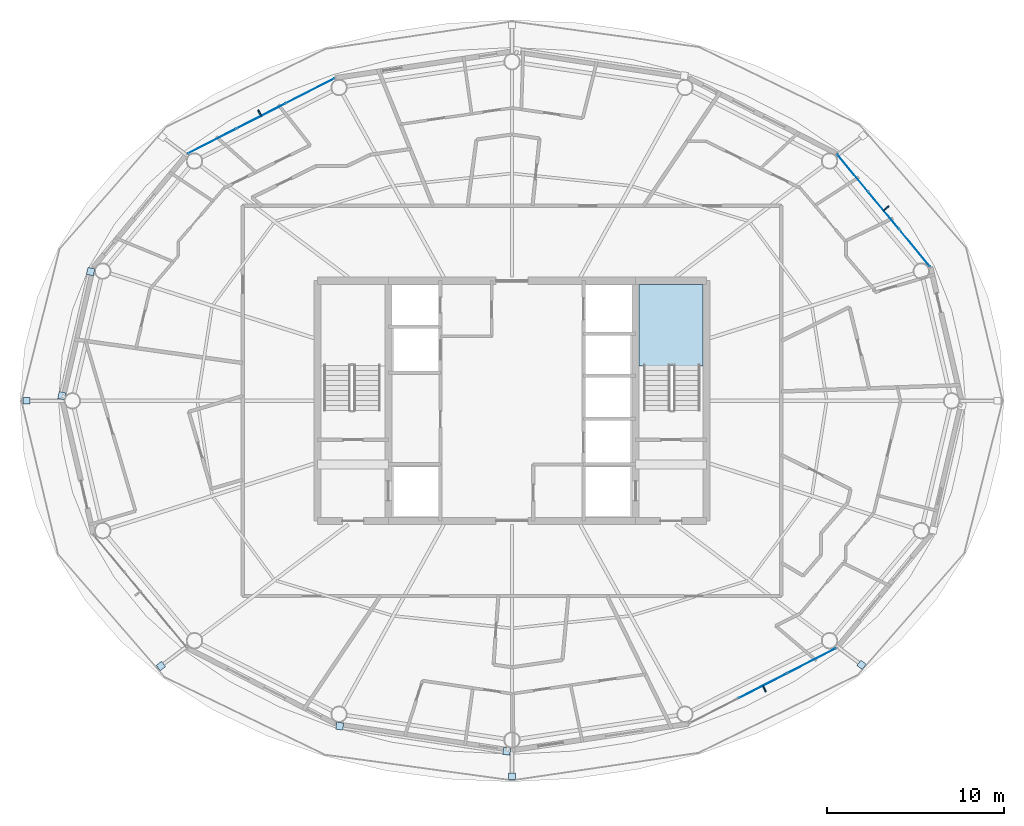
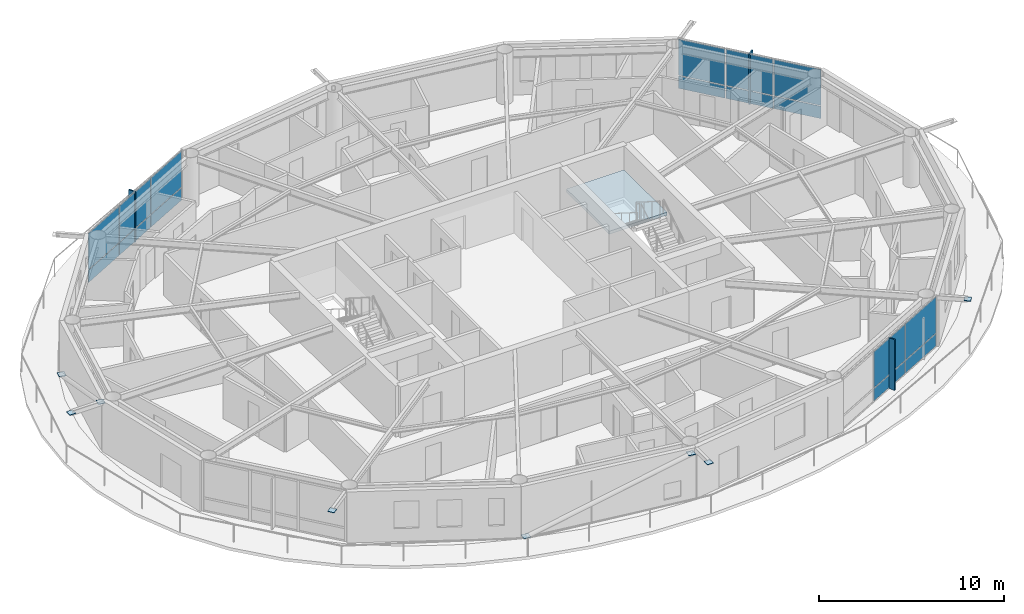
# One storey, part 14 of 23: 27 plates, 1 slab, 4 elements without a shape of their own.
"""IFC4 building model written with IfcOpenShell, lengths in metres."""

from ifc_helpers import new_model, si_unit, direction, frame, origin, origin_2d, place, context, subcontext, project, spatial, polyline, rectangle, outline, extrude, material, layer, layer_set, type_object, element, aggregate, save


model = new_model("IFC4")

# Units and contexts
model_context = context("Model", 3, precision=1e-05, world=origin(), true_north=direction((0.0, 1.0)))
body_context = subcontext(model_context, "Body", "Model", "MODEL_VIEW")
ifc_project = project(units=[si_unit("LENGTHUNIT", "METRE"), si_unit("AREAUNIT", "SQUARE_METRE"), si_unit("VOLUMEUNIT", "CUBIC_METRE"), si_unit("PLANEANGLEUNIT", "RADIAN"), si_unit("MASSUNIT", "GRAM", prefix="KILO")], contexts=[model_context])

# Site, building, storey
site_placement = place(None, origin())
site = spatial("IfcSite", under=ifc_project, at=site_placement, CompositionType="ELEMENT")
building_placement = place(site_placement, origin())
building = spatial("IfcBuilding", under=site, at=building_placement, Name="Sarneth Arch Tower", CompositionType="ELEMENT")
storey_placement = place(building_placement, frame((0.0, 0.0, 228.0)))
storey = spatial("IfcBuildingStorey", under=building, at=storey_placement, Name="L58", CompositionType="ELEMENT", Elevation=228.0)

# Curtain wall, plates
ifc_material_1 = material(Name="Anodised aluminium Type AA25 and solar-control low-e laminated IGU", Category="aluminium")
ifc_layer_1 = layer(ifc_material_1, 0.179931640625)
ifc_layer_set_1 = layer_set([ifc_layer_1], Name="Anodised aluminium Type AA25 and solar-control low-e laminated IGU")
curtain_wall_type = type_object("IfcCurtainWallType", Name="CW-RES-HIGH", PredefinedType="NOTDEFINED", material=ifc_layer_set_1)
curtain_wall_1_placement = place(storey_placement, origin())
curtain_wall_1 = element("IfcCurtainWall", 1, at=curtain_wall_1_placement, inside=storey, type_object=curtain_wall_type, Name="L58 Unitised curtain wall facet 02", PredefinedType="NOTDEFINED")
ifc_material_2 = material(Name="Solar-control low-e laminated IGU", Category="glass")
ifc_layer_2 = layer(ifc_material_2, 0.028076171875)
ifc_layer_set_2 = layer_set([ifc_layer_2], Name="Solar-control low-e laminated IGU")
plate_type_1 = type_object("IfcPlateType", Name="CW-PANEL", PredefinedType="CURTAIN_PANEL", material=ifc_layer_set_2)
plate_1_placement = place(storey_placement, frame((70.799072265625, 50.650634765625, 0.06005859375), z_axis=(0.0, 0.0, 1.0), x_axis=(-0.637610094184, 0.770359245933, 0.0)))
plate_1 = element("IfcPlate", 2, at=plate_1_placement, type_object=plate_type_1, Name="Curtain wall glazed vision pane CW-L58-F02/P00-00", PredefinedType="CURTAIN_PANEL", context=body_context, shape_type="SweptSolid", body=[
    extrude(rectangle(XDim=2.686767578125, YDim=0.028076171875, at=origin_2d()), origin(), (0.0, 0.0, 1.0), 0.81005859375),
])
plate_2_placement = place(storey_placement, frame((70.799072265625, 50.650634765625, 0.929931640625), z_axis=(0.0, 0.0, 1.0), x_axis=(-0.637610094184, 0.770359245933, 0.0)))
plate_2 = element("IfcPlate", 3, at=plate_2_placement, type_object=plate_type_1, Name="Curtain wall glazed vision pane CW-L58-F02/P00-01", PredefinedType="CURTAIN_PANEL", context=body_context, shape_type="SweptSolid", body=[
    extrude(rectangle(XDim=2.686767578125, YDim=0.028076171875, at=origin_2d()), origin(), (0.0, 0.0, 1.0), 2.3701171875),
])
plate_3_placement = place(storey_placement, frame((69.0380859375, 52.778076171875, 0.06005859375), z_axis=(0.0, 0.0, 1.0), x_axis=(-0.637610094184, 0.770359245933, 0.0)))
plate_3 = element("IfcPlate", 4, at=plate_3_placement, type_object=plate_type_1, Name="Curtain wall glazed vision pane CW-L58-F02/P01-00", PredefinedType="CURTAIN_PANEL", context=body_context, shape_type="SweptSolid", body=[
    extrude(rectangle(XDim=2.716552734375, YDim=0.028076171875, at=origin_2d()), origin(), (0.0, 0.0, 1.0), 0.81005859375),
])
plate_4_placement = place(storey_placement, frame((69.0380859375, 52.778076171875, 0.929931640625), z_axis=(0.0, 0.0, 1.0), x_axis=(-0.637610094184, 0.770359245933, 0.0)))
plate_4 = element("IfcPlate", 5, at=plate_4_placement, type_object=plate_type_1, Name="Curtain wall glazed vision pane CW-L58-F02/P01-01", PredefinedType="CURTAIN_PANEL", context=body_context, shape_type="SweptSolid", body=[
    extrude(rectangle(XDim=2.716552734375, YDim=0.028076171875, at=origin_2d()), origin(), (0.0, 0.0, 1.0), 2.3701171875),
])
plate_5_placement = place(storey_placement, frame((67.27734375, 54.905517578125, 0.06005859375), z_axis=(0.0, 0.0, 1.0), x_axis=(-0.637610094184, 0.770359245933, 0.0)))
plate_5 = element("IfcPlate", 6, at=plate_5_placement, type_object=plate_type_1, Name="Curtain wall glazed vision pane CW-L58-F02/P02-00", PredefinedType="CURTAIN_PANEL", context=body_context, shape_type="SweptSolid", body=[
    extrude(rectangle(XDim=2.686767578125, YDim=0.028076171875, at=origin_2d()), origin(), (0.0, 0.0, 1.0), 0.81005859375),
])
plate_6_placement = place(storey_placement, frame((67.27734375, 54.905517578125, 0.929931640625), z_axis=(0.0, 0.0, 1.0), x_axis=(-0.637610094184, 0.770359245933, 0.0)))
plate_6 = element("IfcPlate", 7, at=plate_6_placement, type_object=plate_type_1, Name="Curtain wall glazed vision pane CW-L58-F02/P02-01", PredefinedType="CURTAIN_PANEL", context=body_context, shape_type="SweptSolid", body=[
    extrude(rectangle(XDim=2.686767578125, YDim=0.028076171875, at=origin_2d()), origin(), (0.0, 0.0, 1.0), 2.3701171875),
])
aggregate(curtain_wall_1, [plate_1, plate_2, plate_3, plate_4, plate_5, plate_6])

curtain_wall_2_placement = place(storey_placement, origin())
curtain_wall_2 = element("IfcCurtainWall", 8, at=curtain_wall_2_placement, inside=storey, type_object=curtain_wall_type, Name="L58 Unitised curtain wall facet 06", PredefinedType="NOTDEFINED")
plate_7_placement = place(storey_placement, frame((36.5791015625, 59.552978515625, 0.06005859375), z_axis=(0.0, 0.0, 1.0), x_axis=(-0.890009540525, -0.455941901753, 0.0)))
plate_7 = element("IfcPlate", 9, at=plate_7_placement, type_object=plate_type_1, Name="Curtain wall glazed vision pane CW-L58-F06/P00-00", PredefinedType="CURTAIN_PANEL", context=body_context, shape_type="SweptSolid", body=[
    extrude(rectangle(XDim=3.044677734375, YDim=0.028076171875, at=origin_2d()), origin(), (0.0, 0.0, 1.0), 0.81005859375),
])
plate_8_placement = place(storey_placement, frame((36.5791015625, 59.552978515625, 0.929931640625), z_axis=(0.0, 0.0, 1.0), x_axis=(-0.890009540525, -0.455941901753, 0.0)))
plate_8 = element("IfcPlate", 10, at=plate_8_placement, type_object=plate_type_1, Name="Curtain wall glazed vision pane CW-L58-F06/P00-01", PredefinedType="CURTAIN_PANEL", context=body_context, shape_type="SweptSolid", body=[
    extrude(rectangle(XDim=3.044677734375, YDim=0.028076171875, at=origin_2d()), origin(), (0.0, 0.0, 1.0), 2.3701171875),
])
plate_9_placement = place(storey_placement, frame((33.802490234375, 58.13037109375, 0.06005859375), z_axis=(0.0, 0.0, 1.0), x_axis=(-0.890009540525, -0.455941901753, 0.0)))
plate_9 = element("IfcPlate", 11, at=plate_9_placement, type_object=plate_type_1, Name="Curtain wall glazed vision pane CW-L58-F06/P01-00", PredefinedType="CURTAIN_PANEL", context=body_context, shape_type="SweptSolid", body=[
    extrude(rectangle(XDim=3.07470703125, YDim=0.028076171875, at=origin_2d()), origin(), (0.0, 0.0, 1.0), 0.81005859375),
])
plate_10_placement = place(storey_placement, frame((33.802490234375, 58.13037109375, 0.929931640625), z_axis=(0.0, 0.0, 1.0), x_axis=(-0.890009540525, -0.455941901753, 0.0)))
plate_10 = element("IfcPlate", 12, at=plate_10_placement, type_object=plate_type_1, Name="Curtain wall glazed vision pane CW-L58-F06/P01-01", PredefinedType="CURTAIN_PANEL", context=body_context, shape_type="SweptSolid", body=[
    extrude(rectangle(XDim=3.07470703125, YDim=0.028076171875, at=origin_2d()), origin(), (0.0, 0.0, 1.0), 2.3701171875),
])
plate_11_placement = place(storey_placement, frame((31.02587890625, 56.7080078125, 0.06005859375), z_axis=(0.0, 0.0, 1.0), x_axis=(-0.890009540525, -0.455941901753, 0.0)))
plate_11 = element("IfcPlate", 13, at=plate_11_placement, type_object=plate_type_1, Name="Curtain wall glazed vision pane CW-L58-F06/P02-00", PredefinedType="CURTAIN_PANEL", context=body_context, shape_type="SweptSolid", body=[
    extrude(rectangle(XDim=3.044677734375, YDim=0.028076171875, at=origin_2d()), origin(), (0.0, 0.0, 1.0), 0.81005859375),
])
plate_12_placement = place(storey_placement, frame((31.02587890625, 56.7080078125, 0.929931640625), z_axis=(0.0, 0.0, 1.0), x_axis=(-0.890009540525, -0.455941901753, 0.0)))
plate_12 = element("IfcPlate", 14, at=plate_12_placement, type_object=plate_type_1, Name="Curtain wall glazed vision pane CW-L58-F06/P02-01", PredefinedType="CURTAIN_PANEL", context=body_context, shape_type="SweptSolid", body=[
    extrude(rectangle(XDim=3.044677734375, YDim=0.028076171875, at=origin_2d()), origin(), (0.0, 0.0, 1.0), 2.3701171875),
])
aggregate(curtain_wall_2, [plate_7, plate_8, plate_9, plate_10, plate_11, plate_12])

curtain_wall_3_placement = place(storey_placement, origin())
curtain_wall_3 = element("IfcCurtainWall", 15, at=curtain_wall_3_placement, inside=storey, type_object=curtain_wall_type, Name="L58 Unitised curtain wall facet 14", PredefinedType="NOTDEFINED")
plate_13_placement = place(storey_placement, frame((62.197509765625, 25.86962890625, 0.06005859375), z_axis=(0.0, 0.0, 1.0), x_axis=(0.890009540525, 0.455941901753, 0.0)))
plate_13 = element("IfcPlate", 16, at=plate_13_placement, type_object=plate_type_1, Name="Curtain wall glazed vision pane CW-L58-F14/P01-00", PredefinedType="CURTAIN_PANEL", context=body_context, shape_type="SweptSolid", body=[
    extrude(rectangle(XDim=3.07470703125, YDim=0.028076171875, at=origin_2d()), origin(), (0.0, 0.0, 1.0), 0.81005859375),
])
plate_14_placement = place(storey_placement, frame((62.197509765625, 25.86962890625, 0.929931640625), z_axis=(0.0, 0.0, 1.0), x_axis=(0.890009540525, 0.455941901753, 0.0)))
plate_14 = element("IfcPlate", 17, at=plate_14_placement, type_object=plate_type_1, Name="Curtain wall glazed vision pane CW-L58-F14/P01-01", PredefinedType="CURTAIN_PANEL", context=body_context, shape_type="SweptSolid", body=[
    extrude(rectangle(XDim=3.07470703125, YDim=0.028076171875, at=origin_2d()), origin(), (0.0, 0.0, 1.0), 2.3701171875),
])
plate_15_placement = place(storey_placement, frame((64.97412109375, 27.2919921875, 0.06005859375), z_axis=(0.0, 0.0, 1.0), x_axis=(0.890009540525, 0.455941901753, 0.0)))
plate_15 = element("IfcPlate", 18, at=plate_15_placement, type_object=plate_type_1, Name="Curtain wall glazed vision pane CW-L58-F14/P02-00", PredefinedType="CURTAIN_PANEL", context=body_context, shape_type="SweptSolid", body=[
    extrude(rectangle(XDim=3.044677734375, YDim=0.028076171875, at=origin_2d()), origin(), (0.0, 0.0, 1.0), 0.81005859375),
])
plate_16_placement = place(storey_placement, frame((64.97412109375, 27.2919921875, 0.929931640625), z_axis=(0.0, 0.0, 1.0), x_axis=(0.890009540525, 0.455941901753, 0.0)))
plate_16 = element("IfcPlate", 19, at=plate_16_placement, type_object=plate_type_1, Name="Curtain wall glazed vision pane CW-L58-F14/P02-01", PredefinedType="CURTAIN_PANEL", context=body_context, shape_type="SweptSolid", body=[
    extrude(rectangle(XDim=3.044677734375, YDim=0.028076171875, at=origin_2d()), origin(), (0.0, 0.0, 1.0), 2.3701171875),
])
aggregate(curtain_wall_3, [plate_13, plate_14, plate_15, plate_16])

# Plates
ifc_material_3 = material(Name="Steel S355", Category="steel")
ifc_layer_3 = layer(ifc_material_3, 0.035888671875)
ifc_layer_set_3 = layer_set([ifc_layer_3], Name="Steel S355")
plate_type_2 = type_object("IfcPlateType", Name="PLT-GUSSET-30", PredefinedType="SHEET", material=ifc_layer_set_3)
for number, where, z_axis, x_axis, name in (
    (20, (24.148193359375, 49.3154296875, 0.001953125), (0.0, 0.0, 1.0), (-0.225461202458, -0.974252147129, 0.0), "Steel end cap plate GP-1"),
    (21, (22.5234375, 42.292236328125, 3.0185546875), (0.0, 0.0, 1.0), (-0.225461202458, -0.974252147129, 0.0), "Steel end cap plate GP-1"),
):
    element("IfcPlate", number, at=place(storey_placement, frame(where, z_axis=z_axis, x_axis=x_axis)), inside=storey, type_object=plate_type_2, Name=name, PredefinedType="SHEET", context=body_context, shape_type="SweptSolid", body=[
        extrude(rectangle(XDim=0.404052734375, YDim=0.404052734375, at=origin_2d()), origin(), (0.0, 0.0, 1.0), 0.035888671875),
    ])
for number, where, z_axis, x_axis, name in (
    (22, (20.522705078125, 42.0, 3.18212890625), (0.0, 0.0, 1.0), (-1.0, 0.0, 0.0), "Steel end cap plate GP-1"),
    (23, (28.123779296875, 26.98779296875, 3.18212890625), (0.0, 0.0, 1.0), (-0.798004853043, -0.602651022168, 0.0), "Steel end cap plate GP-1"),
):
    element("IfcPlate", number, at=place(storey_placement, frame(where, z_axis=z_axis, x_axis=x_axis)), inside=storey, type_object=plate_type_2, Name=name, PredefinedType="SHEET", context=body_context, shape_type="SweptSolid", body=[
        extrude(rectangle(XDim=0.3798828125, YDim=0.3798828125, at=origin_2d()), origin(), (0.0, 0.0, 1.0), 0.035888671875),
    ])
for number, where, z_axis, x_axis, name in (
    (24, (38.245849609375, 23.588623046875, 0.001953125), (0.0, 0.0, 1.0), (0.988860535448, -0.148845024885, 0.0), "Steel end cap plate GP-1"),
    (25, (47.703369140625, 22.16455078125, 3.0185546875), (0.0, 0.0, 1.0), (0.988860535448, -0.148845024885, 0.0), "Steel end cap plate GP-1"),
):
    element("IfcPlate", number, at=place(storey_placement, frame(where, z_axis=z_axis, x_axis=x_axis)), inside=storey, type_object=plate_type_2, Name=name, PredefinedType="SHEET", context=body_context, shape_type="SweptSolid", body=[
        extrude(rectangle(XDim=0.404052734375, YDim=0.404052734375, at=origin_2d()), origin(), (0.0, 0.0, 1.0), 0.035888671875),
    ])
for number, where, z_axis, x_axis, name in (
    (26, (48.0, 20.743896484375, 3.18212890625), (0.0, 0.0, 1.0), (0.0, -1.0, 0.0), "Steel end cap plate GP-1"),
    (27, (67.784912109375, 27.056640625, 3.18212890625), (0.0, 0.0, 1.0), (0.798004853043, -0.602651022168, 0.0), "Steel end cap plate GP-1"),
):
    element("IfcPlate", number, at=place(storey_placement, frame(where, z_axis=z_axis, x_axis=x_axis)), inside=storey, type_object=plate_type_2, Name=name, PredefinedType="SHEET", context=body_context, shape_type="SweptSolid", body=[
        extrude(rectangle(XDim=0.3798828125, YDim=0.3798828125, at=origin_2d()), origin(), (0.0, 0.0, 1.0), 0.035888671875),
    ])
ifc_material_4 = material(Name="Extruded glazed terracotta baguette fin on Aluminium 6063-T6 carrier", Category="masonry")
ifc_layer_4 = layer(ifc_material_4, 0.080078125)
ifc_layer_set_4 = layer_set([ifc_layer_4], Name="Extruded glazed terracotta baguette fin on Aluminium 6063-T6 carrier")
plate_type_3 = type_object("IfcPlateType", Name="SHADE-TERRA-FIN", PredefinedType="SHEET", material=ifc_layer_set_4)
for number, where, z_axis, x_axis, name in (
    (28, (69.169189453125, 52.886474609375, 0.009765625), (0.0, 0.0, 1.0), (0.770401979567, 0.63755845997, 0.0), "L58 Terracotta vertical shading fin 02"),
    (29, (33.724853515625, 58.28173828125, 0.009765625), (0.0, 0.0, 1.0), (-0.456010959102, 0.889974159838, 0.0), "L58 Terracotta vertical shading fin 06"),
    (30, (62.275146484375, 25.71826171875, 0.009765625), (0.0, 0.0, 1.0), (0.456010959102, -0.889974159838, 0.0), "L58 Terracotta vertical shading fin 14"),
):
    element("IfcPlate", number, at=place(storey_placement, frame(where, z_axis=z_axis, x_axis=x_axis)), inside=storey, type_object=plate_type_3, Name=name, PredefinedType="SHEET", context=body_context, shape_type="SweptSolid", body=[
        extrude(rectangle(XDim=0.419921875, YDim=0.080078125, at=origin_2d()), origin(), (0.0, 0.0, 1.0), 3.340087890625),
    ])

# Stair, slab
ifc_material_5 = material(Name="Concrete C50/60", Category="concrete")
stair_type = type_object("IfcStairType", Name="STAIR-CORE-RC", PredefinedType="HALF_TURN_STAIR", material=ifc_material_5)
stair_placement = place(storey_placement, origin())
stair = element("IfcStair", 31, at=stair_placement, inside=storey, type_object=stair_type, Name="L58 Core Exit Stair 2", PredefinedType="HALF_TURN_STAIR")
ifc_material_6 = material(Name="Concrete C50/60", Category="concrete")
ifc_layer_5 = layer(ifc_material_6, 0.199951171875)
ifc_layer_set_5 = layer_set([ifc_layer_5], Name="Concrete C50/60")
slab_type = type_object("IfcSlabType", Name="SLAB-LANDING-200", PredefinedType="LANDING", material=ifc_layer_set_5)
slab_placement = place(storey_placement, frame((0.0, 0.0, 1.60009765625)))
slab = element("IfcSlab", 32, at=slab_placement, type_object=slab_type, Name="ST-2 landing 1", PredefinedType="LANDING", context=body_context, shape_type="SweptSolid", body=[
    extrude(outline(polyline([(55.199951171875, 43.985107421875), (58.800048828125, 43.985107421875), (58.800048828125, 48.60009765625), (55.199951171875, 48.60009765625), (55.199951171875, 43.985107421875)])), origin(), (0.0, 0.0, 1.0), 0.199951171875),
])
aggregate(stair, [slab])

save(model, "model.ifc")
